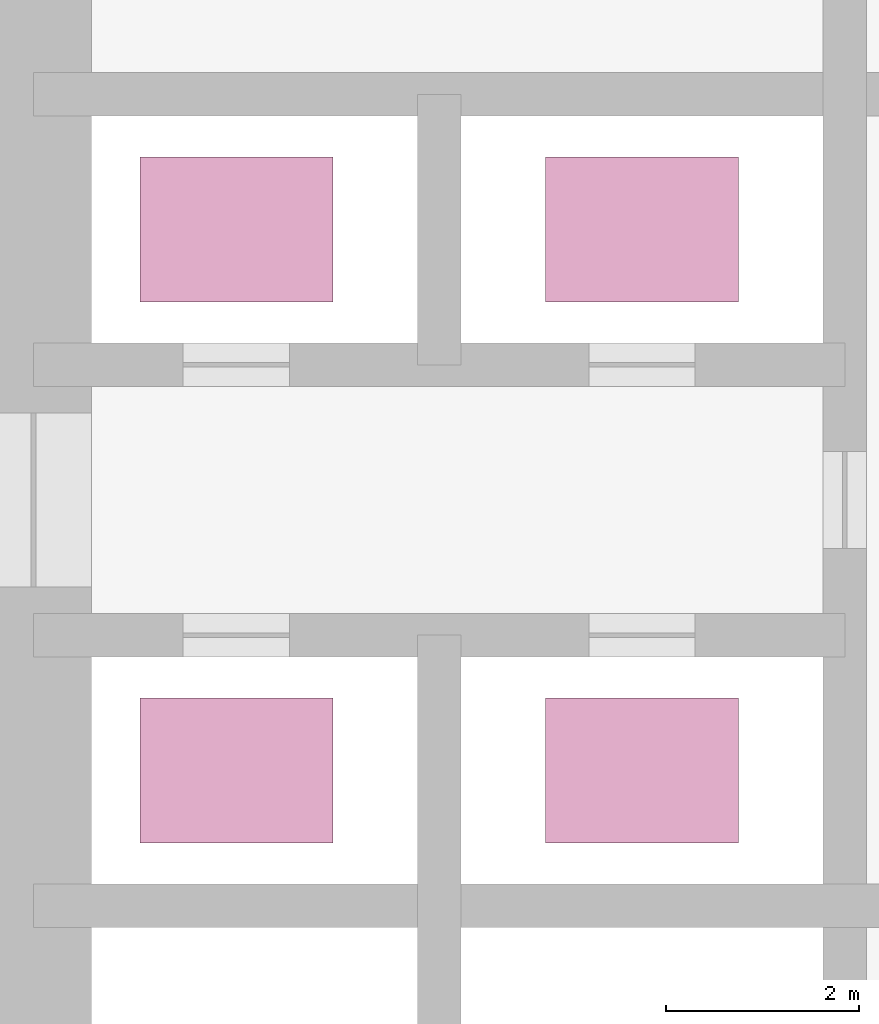
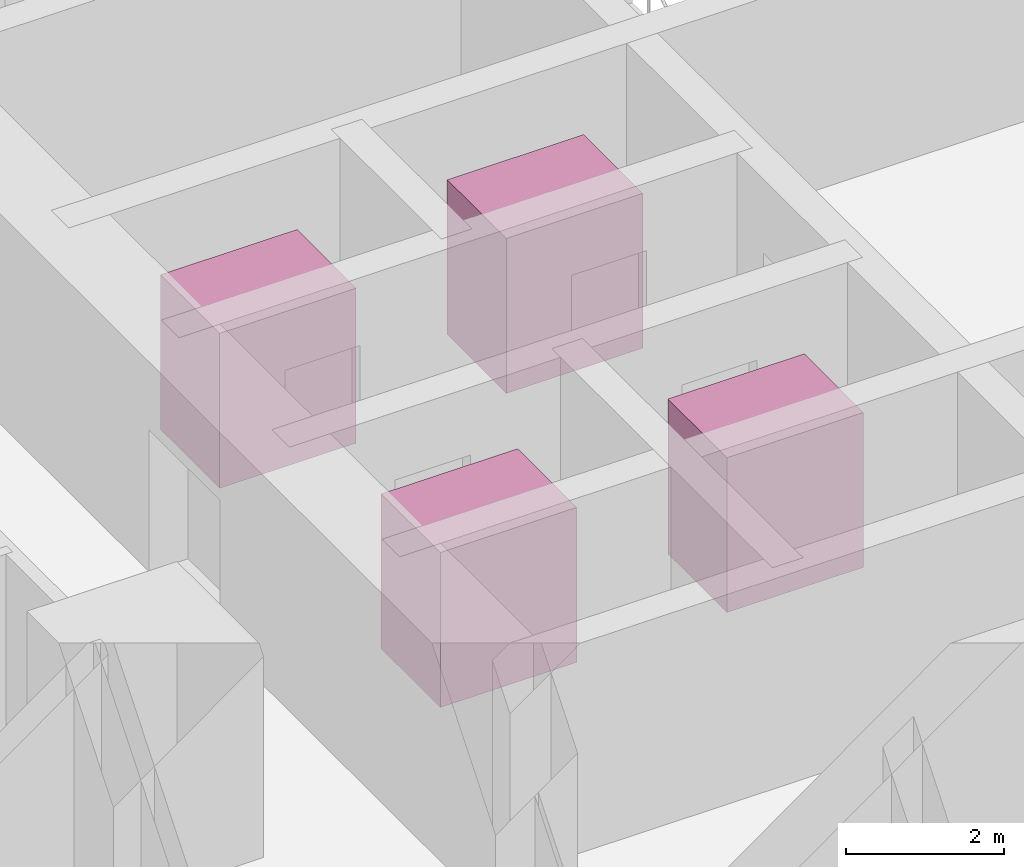
# One storey, part 16 of 16: 4 transport elements.
"""IFC4 building model written with IfcOpenShell, lengths in metres."""

from ifc_helpers import new_model, si_unit, direction, frame, origin, origin_2d, place, context, subcontext, project, spatial, rectangle, extrude, material, type_object, element, save


model = new_model("IFC4")

# Units and contexts
model_context = context("Model", 3, precision=1e-05, world=origin(), true_north=direction((0.0, 1.0)))
body_context = subcontext(model_context, "Body", "Model", "MODEL_VIEW")
ifc_project = project(units=[si_unit("LENGTHUNIT", "METRE"), si_unit("AREAUNIT", "SQUARE_METRE"), si_unit("VOLUMEUNIT", "CUBIC_METRE"), si_unit("PLANEANGLEUNIT", "RADIAN"), si_unit("MASSUNIT", "GRAM", prefix="KILO")], contexts=[model_context])

# Site, building, storey
site_placement = place(None, origin())
site = spatial("IfcSite", under=ifc_project, at=site_placement, CompositionType="ELEMENT")
building_placement = place(site_placement, origin())
building = spatial("IfcBuilding", under=site, at=building_placement, Name="Dunama Terrace Hotel", CompositionType="ELEMENT")
storey_placement = place(building_placement, frame((0.0, 0.0, 93.60009765625)))
storey = spatial("IfcBuildingStorey", under=building, at=storey_placement, Name="L23", CompositionType="ELEMENT", Elevation=93.60009765625)

# Transport elements
ifc_material = material(Name="Passenger lift car")
transport_element_type = type_object("IfcTransportElementType", Name="Passenger lift 1600 kg", PredefinedType="ELEVATOR", material=ifc_material)
transport_element_1_placement = place(storey_placement, origin())
element("IfcTransportElement", 1, at=transport_element_1_placement, inside=storey, type_object=transport_element_type, Name="Lift PC1, type PL", PredefinedType="ELEVATOR", context=body_context, shape_type="SweptSolid", body=[
    extrude(rectangle(XDim=2.0, YDim=1.5, at=origin_2d()), frame((18.89990234375, 26.60009765625, 0.0), z_axis=(0.0, 0.0, 1.0), x_axis=(1.0, 0.0, 0.0)), (0.0, 0.0, 1.0), 2.39990234375),
])
transport_element_2_placement = place(storey_placement, origin())
element("IfcTransportElement", 2, at=transport_element_2_placement, inside=storey, type_object=transport_element_type, Name="Lift PC2, type PL", PredefinedType="ELEVATOR", context=body_context, shape_type="SweptSolid", body=[
    extrude(rectangle(XDim=2.0, YDim=1.5, at=origin_2d()), frame((23.10009765625, 26.60009765625, 0.0), z_axis=(0.0, 0.0, 1.0), x_axis=(1.0, 0.0, 0.0)), (0.0, 0.0, 1.0), 2.39990234375),
])
transport_element_3_placement = place(storey_placement, origin())
element("IfcTransportElement", 3, at=transport_element_3_placement, inside=storey, type_object=transport_element_type, Name="Lift PC3, type PL", PredefinedType="ELEVATOR", context=body_context, shape_type="SweptSolid", body=[
    extrude(rectangle(XDim=2.0, YDim=1.5, at=origin_2d()), frame((18.89990234375, 32.199951171875, 0.0), z_axis=(0.0, 0.0, 1.0), x_axis=(1.0, 0.0, 0.0)), (0.0, 0.0, 1.0), 2.39990234375),
])
transport_element_4_placement = place(storey_placement, origin())
element("IfcTransportElement", 4, at=transport_element_4_placement, inside=storey, type_object=transport_element_type, Name="Lift PC4, type PL", PredefinedType="ELEVATOR", context=body_context, shape_type="SweptSolid", body=[
    extrude(rectangle(XDim=2.0, YDim=1.5, at=origin_2d()), frame((23.10009765625, 32.199951171875, 0.0), z_axis=(0.0, 0.0, 1.0), x_axis=(1.0, 0.0, 0.0)), (0.0, 0.0, 1.0), 2.39990234375),
])

save(model, "model.ifc")
